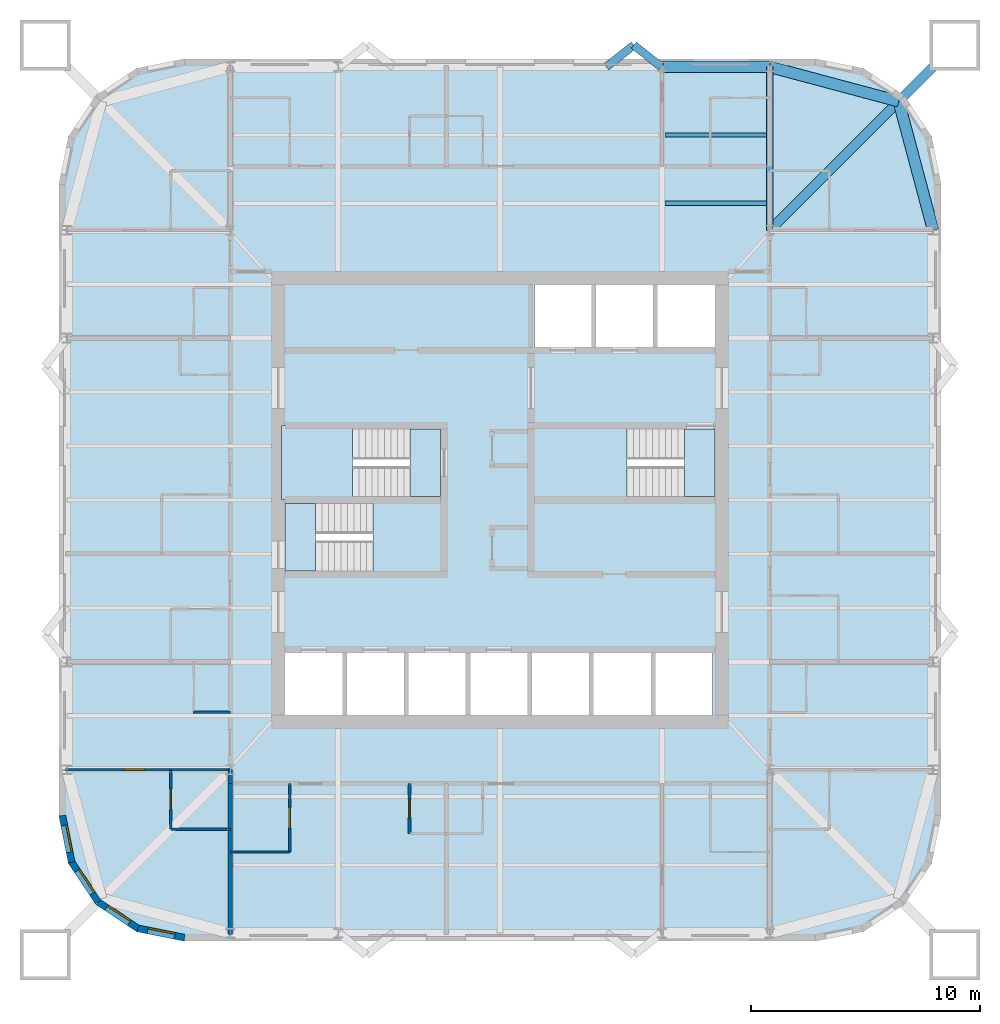
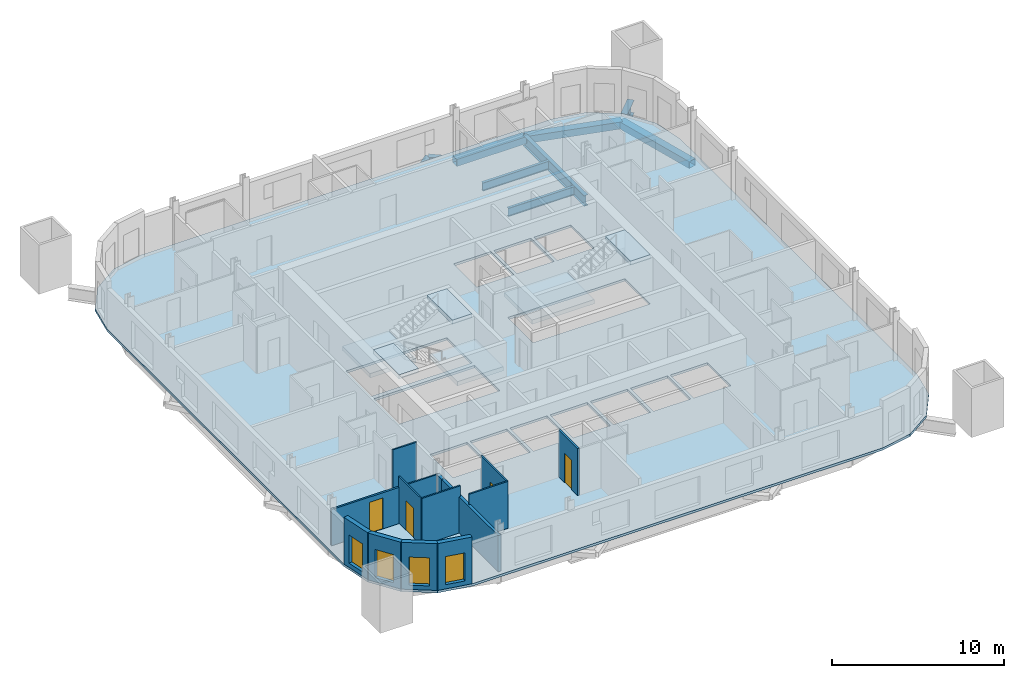
# One storey, part 2 of 9: 14 walls, 9 beams, 7 slabs, 4 doors, 4 windows, 8 openings, 3 elements without a shape of their own.
"""IFC4 building model written with IfcOpenShell, lengths in metres."""

from ifc_helpers import new_model, si_unit, direction, frame, frame_2d, origin, origin_2d, place, context, subcontext, project, spatial, polyline, rectangle, hollow_rectangle, i_section, outline, extrude, material, layer, layer_set, material_profile, profile_set, type_object, element, fill, aggregate, save


model = new_model("IFC4")

# Units and contexts
model_context = context("Model", 3, precision=1e-05, world=origin(), true_north=direction((0.0, 1.0)))
body_context = subcontext(model_context, "Body", "Model", "MODEL_VIEW")
ifc_project = project(units=[si_unit("LENGTHUNIT", "METRE"), si_unit("AREAUNIT", "SQUARE_METRE"), si_unit("VOLUMEUNIT", "CUBIC_METRE"), si_unit("PLANEANGLEUNIT", "RADIAN"), si_unit("MASSUNIT", "GRAM", prefix="KILO")], contexts=[model_context])

# Site, building, storey
site_placement = place(None, origin())
site = spatial("IfcSite", under=ifc_project, at=site_placement, CompositionType="ELEMENT")
building_placement = place(site_placement, origin())
building = spatial("IfcBuilding", under=site, at=building_placement, Name="Turquesa Mirador Hotel Tower", CompositionType="ELEMENT")
storey_placement = place(building_placement, frame((0.0, 0.0, 200.300048828125)))
storey = spatial("IfcBuildingStorey", under=building, at=storey_placement, Name="L54", CompositionType="ELEMENT", Elevation=200.300048828125)

# Beams
ifc_material_1 = material(Name="Steel ASTM A572 Grade 50", Category="steel")
ifc_material_profile_1 = material_profile(ifc_material_1, hollow_rectangle(XDim=0.5, YDim=0.5, WallThickness=0.01611328125, at=origin_2d()), Name="BOX500X500X16")
ifc_profile_set_1 = profile_set([ifc_material_profile_1], Name="Steel ASTM A572 Grade 50")
beam_type_1 = type_object("IfcBeamType", Name="BEAM BOX500X500X16", PredefinedType="BEAM", material=ifc_profile_set_1)
beam_1_placement = place(storey_placement, frame((62.080078125, 63.949951171875, -0.420166015625), z_axis=(1.0, 0.0, 0.0), x_axis=(0.0, 1.0, 0.0)))
element("IfcBeam", 1, at=beam_1_placement, inside=storey, type_object=beam_type_1, Name="EB-L54-N-R", PredefinedType="BEAM", context=body_context, shape_type="SweptSolid", body=[
    extrude(hollow_rectangle(XDim=0.5, YDim=0.5, WallThickness=0.01611328125, at=origin_2d()), origin(), (0.0, 0.0, 1.0), 4.719970703125),
])
for number, where, z_axis, x_axis, name in (
    (2, (73.949951171875, 56.800048828125, -0.420166015625), (-0.258281892145, 0.966069595935, 0.0), (-0.966069595935, -0.258281892145, 0.0), "KE-L54-1-0"),
    (3, (72.441650390625, 62.441650390625, -0.420166015625), (-0.966069595935, 0.258281892145, 0.0), (-0.258281892145, -0.966069595935, 0.0), "KE-L54-1-1"),
):
    element("IfcBeam", number, at=place(storey_placement, frame(where, z_axis=z_axis, x_axis=x_axis)), inside=storey, type_object=beam_type_1, Name=name, PredefinedType="BEAM", context=body_context, shape_type="SweptSolid", body=[
        extrude(hollow_rectangle(XDim=0.5, YDim=0.5, WallThickness=0.01611328125, at=origin_2d()), origin(), (0.0, 0.0, 1.0), 5.83984375),
    ])
ifc_material_2 = material(Name="Steel ASTM A992 Grade 50", Category="steel")
ifc_material_profile_2 = material_profile(ifc_material_2, i_section(OverallWidth=0.177978515625, OverallDepth=0.599365234375, WebThickness=0.010009765625, FlangeThickness=0.012939453125, at=origin_2d()), Name="W24X55")
ifc_profile_set_2 = profile_set([ifc_material_profile_2], Name="Steel ASTM A992 Grade 50")
beam_type_2 = type_object("IfcBeamType", Name="BEAM W24X55", PredefinedType="BEAM", material=ifc_profile_set_2)
for number, where, z_axis, x_axis, name in (
    (4, (62.21337890625, 57.98291015625, -0.4697265625), (1.0, 0.0, 0.0), (0.0, 1.0, 0.0), "IB-L54-N-1-3"),
    (5, (62.21337890625, 60.967041015625, -0.4697265625), (1.0, 0.0, 0.0), (0.0, 1.0, 0.0), "IB-L54-N-2-3"),
):
    element("IfcBeam", number, at=place(storey_placement, frame(where, z_axis=z_axis, x_axis=x_axis)), inside=storey, type_object=beam_type_2, Name=name, PredefinedType="BEAM", context=body_context, shape_type="SweptSolid", body=[
        extrude(i_section(OverallWidth=0.177978515625, OverallDepth=0.599365234375, WebThickness=0.010009765625, FlangeThickness=0.012939453125, at=origin_2d()), origin(), (0.0, 0.0, 1.0), 4.453369140625),
    ])
ifc_material_3 = material(Name="Steel ASTM A992 Grade 50", Category="steel")
ifc_material_profile_3 = material_profile(ifc_material_3, i_section(OverallWidth=0.2666015625, OverallDepth=0.7568359375, WebThickness=0.013916015625, FlangeThickness=0.019287109375, at=origin_2d()), Name="W30X108")
ifc_profile_set_3 = profile_set([ifc_material_profile_3], Name="Steel ASTM A992 Grade 50")
beam_type_3 = type_object("IfcBeamType", Name="BEAM W30X108", PredefinedType="BEAM", material=ifc_profile_set_3)
beam_2_placement = place(storey_placement, frame((66.800048828125, 63.949951171875, -0.548583984375), z_axis=(0.0, -1.0, 0.0), x_axis=(1.0, 0.0, 0.0)))
element("IfcBeam", 6, at=beam_2_placement, inside=storey, type_object=beam_type_3, Name="GK-L54-N-+11.80", PredefinedType="BEAM", context=body_context, shape_type="SweptSolid", body=[
    extrude(i_section(OverallWidth=0.2666015625, OverallDepth=0.7568359375, WebThickness=0.013916015625, FlangeThickness=0.019287109375, at=origin_2d()), origin(), (0.0, 0.0, 1.0), 7.14990234375),
])
ifc_material_4 = material(Name="Steel ASTM A992 Grade 50", Category="steel")
ifc_material_profile_4 = material_profile(ifc_material_4, i_section(OverallWidth=0.419189453125, OverallDepth=0.927001953125, WebThickness=0.019287109375, FlangeThickness=0.031982421875, at=origin_2d()), Name="W36X231")
ifc_profile_set_4 = profile_set([ifc_material_profile_4], Name="Steel ASTM A992 Grade 50")
beam_type_4 = type_object("IfcBeamType", Name="BEAM W36X231", PredefinedType="BEAM", material=ifc_profile_set_4)
beam_3_placement = place(storey_placement, frame((66.800048828125, 56.800048828125, -0.633544921875), z_axis=(0.707106781187, 0.707106781187, 0.0), x_axis=(-0.707106781187, 0.707106781187, 0.0)))
element("IfcBeam", 7, at=beam_3_placement, inside=storey, type_object=beam_type_4, Name="KD-L54-1", PredefinedType="BEAM", context=body_context, shape_type="SweptSolid", body=[
    extrude(i_section(OverallWidth=0.419189453125, OverallDepth=0.927001953125, WebThickness=0.019287109375, FlangeThickness=0.031982421875, at=origin_2d()), origin(), (0.0, 0.0, 1.0), 10.080322265625),
])
ifc_material_5 = material(Name="Steel ASTM A500 Grade C", Category="steel")
ifc_material_profile_5 = material_profile(ifc_material_5, hollow_rectangle(XDim=0.355712890625, YDim=0.355712890625, WallThickness=0.0146484375, at=origin_2d()), Name="HSS14X14X5/8")
ifc_profile_set_5 = profile_set([ifc_material_profile_5], Name="Steel ASTM A500 Grade C")
beam_type_5 = type_object("IfcBeamType", Name="BRACE STRUT HSS14X14X5/8", PredefinedType="BEAM", material=ifc_profile_set_5)
beam_4_placement = place(storey_placement, frame((60.85302734375, 64.89990234375, -0.347900390625), z_axis=(-0.784110506071, -0.620621232531, 0.0), x_axis=(0.620621232531, -0.784110506071, 0.0)))
element("IfcBeam", 8, at=beam_4_placement, inside=storey, type_object=beam_type_5, Name="Brace strut", PredefinedType="BEAM", context=body_context, shape_type="SweptSolid", body=[
    extrude(hollow_rectangle(XDim=0.355712890625, YDim=0.355712890625, WallThickness=0.0146484375, at=origin_2d()), origin(), (0.0, 0.0, 1.0), 1.53076171875),
])
beam_5_placement = place(storey_placement, frame((60.85302734375, 64.89990234375, -0.347900390625), z_axis=(0.784049059149, -0.620698858423, 0.0), x_axis=(0.620698858423, 0.784049059149, 0.0)))
element("IfcBeam", 9, at=beam_5_placement, inside=storey, type_object=beam_type_5, Name="Brace strut", PredefinedType="BEAM", context=body_context, shape_type="SweptSolid", body=[
    extrude(hollow_rectangle(XDim=0.355712890625, YDim=0.355712890625, WallThickness=0.0146484375, at=origin_2d()), origin(), (0.0, 0.0, 1.0), 1.530517578125),
])

# Slab
ifc_material_6 = material(Name="Concrete C28/35", Category="concrete")
ifc_layer_1 = layer(ifc_material_6, 0.169921875)
ifc_layer_set_1 = layer_set([ifc_layer_1], Name="COMPOSITE FLOOR SLAB 170")
slab_type_1 = type_object("IfcSlabType", Name="COMPOSITE FLOOR SLAB 170", PredefinedType="FLOOR", material=ifc_layer_set_1)
slab_1_placement = place(storey_placement, frame((0.0, 0.0, -0.170166015625)))
element("IfcSlab", 10, at=slab_1_placement, inside=storey, type_object=slab_type_1, Name="Floor slab L54", PredefinedType="FLOOR", context=body_context, shape_type="SweptSolid", body=[
    extrude(outline(polyline([(68.800048828125, 25.699951171875), (70.90478515625, 26.11865234375), (72.689208984375, 27.310791015625), (73.88134765625, 29.09521484375), (74.300048828125, 31.199951171875), (74.300048828125, 58.800048828125), (73.88134765625, 60.90478515625), (72.689208984375, 62.689208984375), (70.90478515625, 63.88134765625), (68.800048828125, 64.300048828125), (41.199951171875, 64.300048828125), (39.09521484375, 63.88134765625), (37.310791015625, 62.689208984375), (36.11865234375, 60.90478515625), (35.699951171875, 58.800048828125), (35.699951171875, 31.199951171875), (36.11865234375, 29.09521484375), (37.310791015625, 27.310791015625), (39.09521484375, 26.11865234375), (41.199951171875, 25.699951171875), (68.800048828125, 25.699951171875)]), holes=[polyline([(56.5, 51.699951171875), (59.0, 51.699951171875), (59.0, 54.39990234375), (56.5, 54.39990234375), (56.5, 51.699951171875)]), polyline([(59.199951171875, 51.699951171875), (61.699951171875, 51.699951171875), (61.699951171875, 54.39990234375), (59.199951171875, 54.39990234375), (59.199951171875, 51.699951171875)]), polyline([(45.60009765625, 35.60009765625), (48.10009765625, 35.60009765625), (48.10009765625, 38.300048828125), (45.60009765625, 38.300048828125), (45.60009765625, 35.60009765625)]), polyline([(48.300048828125, 35.60009765625), (50.800048828125, 35.60009765625), (50.800048828125, 38.300048828125), (48.300048828125, 38.300048828125), (48.300048828125, 35.60009765625)]), polyline([(51.0, 35.60009765625), (53.5, 35.60009765625), (53.5, 38.300048828125), (51.0, 38.300048828125), (51.0, 35.60009765625)]), polyline([(53.699951171875, 35.60009765625), (56.199951171875, 35.60009765625), (56.199951171875, 38.300048828125), (53.699951171875, 38.300048828125), (53.699951171875, 35.60009765625)]), polyline([(56.39990234375, 35.60009765625), (58.89990234375, 35.60009765625), (58.89990234375, 38.300048828125), (56.39990234375, 38.300048828125), (56.39990234375, 35.60009765625)]), polyline([(59.10009765625, 35.60009765625), (61.60009765625, 35.60009765625), (61.60009765625, 38.300048828125), (59.10009765625, 38.300048828125), (59.10009765625, 35.60009765625)]), polyline([(61.800048828125, 35.60009765625), (64.300048828125, 35.60009765625), (64.300048828125, 38.300048828125), (61.800048828125, 38.300048828125), (61.800048828125, 35.60009765625)]), polyline([(45.60009765625, 45.14990234375), (52.39990234375, 45.14990234375), (52.39990234375, 48.10009765625), (45.60009765625, 48.10009765625), (45.60009765625, 45.14990234375)]), polyline([(45.60009765625, 41.89990234375), (52.39990234375, 41.89990234375), (52.39990234375, 44.85009765625), (45.60009765625, 44.85009765625), (45.60009765625, 41.89990234375)]), polyline([(56.5, 45.14990234375), (64.39990234375, 45.14990234375), (64.39990234375, 48.10009765625), (56.5, 48.10009765625), (56.5, 45.14990234375)]), polyline([(61.89990234375, 51.699951171875), (64.39990234375, 51.699951171875), (64.39990234375, 54.39990234375), (61.89990234375, 54.39990234375), (61.89990234375, 51.699951171875)])]), origin(), (0.0, 0.0, 1.0), 0.170166015625),
])

# Stair, slabs
ifc_material_7 = material(Name="Concrete C35/45", Category="concrete")
stair_type = type_object("IfcStairType", Name="ESCAPE STAIR CORE", PredefinedType="HALF_TURN_STAIR", material=ifc_material_7)
stair_1_placement = place(storey_placement, origin())
stair_1 = element("IfcStair", 11, at=stair_1_placement, inside=storey, type_object=stair_type, Name="Stair ST1 L54 to L55", PredefinedType="HALF_TURN_STAIR")
ifc_material_8 = material(Name="Concrete C35/45", Category="concrete")
ifc_layer_2 = layer(ifc_material_8, 0.300048828125)
ifc_layer_set_2 = layer_set([ifc_layer_2], Name="STAIR LANDING 300")
slab_type_2 = type_object("IfcSlabType", Name="STAIR LANDING 300", PredefinedType="LANDING", material=ifc_layer_set_2)
slab_2_placement = place(storey_placement, frame((0.0, 0.0, 1.449951171875)))
slab_2 = element("IfcSlab", 12, at=slab_2_placement, type_object=slab_type_2, Name="ST1 landing 1", PredefinedType="LANDING", context=body_context, shape_type="SweptSolid", body=[
    extrude(outline(polyline([(45.449951171875, 45.0), (48.550048828125, 45.0), (48.550048828125, 48.25), (45.449951171875, 48.25), (45.449951171875, 45.0)])), origin(), (0.0, 0.0, 1.0), 0.300048828125),
])
slab_3_placement = place(storey_placement, frame((0.0, 0.0, 3.199951171875)))
slab_3 = element("IfcSlab", 13, at=slab_3_placement, type_object=slab_type_2, Name="ST1 landing 2", PredefinedType="LANDING", context=body_context, shape_type="SweptSolid", body=[
    extrude(outline(polyline([(51.070068359375, 45.14990234375), (52.39990234375, 45.14990234375), (52.39990234375, 48.10009765625), (51.070068359375, 48.10009765625), (51.070068359375, 45.14990234375)])), origin(), (0.0, 0.0, 1.0), 0.300048828125),
])
aggregate(stair_1, [slab_2, slab_3])

stair_2_placement = place(storey_placement, origin())
stair_2 = element("IfcStair", 14, at=stair_2_placement, inside=storey, type_object=stair_type, Name="Stair ST2 L54 to L55", PredefinedType="HALF_TURN_STAIR")
slab_4_placement = place(storey_placement, frame((0.0, 0.0, 1.449951171875)))
slab_4 = element("IfcSlab", 15, at=slab_4_placement, type_object=slab_type_2, Name="ST2 landing 1", PredefinedType="LANDING", context=body_context, shape_type="SweptSolid", body=[
    extrude(outline(polyline([(52.550048828125, 45.0), (49.449951171875, 45.0), (49.449951171875, 41.75), (52.550048828125, 41.75), (52.550048828125, 45.0)])), origin(), (0.0, 0.0, 1.0), 0.300048828125),
])
slab_5_placement = place(storey_placement, frame((0.0, 0.0, 3.199951171875)))
slab_5 = element("IfcSlab", 16, at=slab_5_placement, type_object=slab_type_2, Name="ST2 landing 2", PredefinedType="LANDING", context=body_context, shape_type="SweptSolid", body=[
    extrude(outline(polyline([(46.929931640625, 44.85009765625), (45.60009765625, 44.85009765625), (45.60009765625, 41.89990234375), (46.929931640625, 41.89990234375), (46.929931640625, 44.85009765625)])), origin(), (0.0, 0.0, 1.0), 0.300048828125),
])
aggregate(stair_2, [slab_4, slab_5])

stair_3_placement = place(storey_placement, origin())
stair_3 = element("IfcStair", 17, at=stair_3_placement, inside=storey, type_object=stair_type, Name="Stair ST3 L54 to L55", PredefinedType="HALF_TURN_STAIR")
slab_6_placement = place(storey_placement, frame((0.0, 0.0, 1.449951171875)))
slab_6 = element("IfcSlab", 18, at=slab_6_placement, type_object=slab_type_2, Name="ST3 landing 1", PredefinedType="LANDING", context=body_context, shape_type="SweptSolid", body=[
    extrude(outline(polyline([(56.35009765625, 45.0), (60.550048828125, 45.0), (60.550048828125, 48.25), (56.35009765625, 48.25), (56.35009765625, 45.0)])), origin(), (0.0, 0.0, 1.0), 0.300048828125),
])
slab_7_placement = place(storey_placement, frame((0.0, 0.0, 3.199951171875)))
slab_7 = element("IfcSlab", 19, at=slab_7_placement, type_object=slab_type_2, Name="ST3 landing 2", PredefinedType="LANDING", context=body_context, shape_type="SweptSolid", body=[
    extrude(outline(polyline([(63.070068359375, 45.14990234375), (64.39990234375, 45.14990234375), (64.39990234375, 48.10009765625), (63.070068359375, 48.10009765625), (63.070068359375, 45.14990234375)])), origin(), (0.0, 0.0, 1.0), 0.300048828125),
])
aggregate(stair_3, [slab_6, slab_7])

# Walls
ifc_material_9 = material(Name="Gypsum board on steel studs", Category="steel")
ifc_layer_3 = layer(ifc_material_9, 0.10009765625)
ifc_layer_set_3 = layer_set([ifc_layer_3], Name="BATHROOM WALL 100")
wall_type_1 = type_object("IfcWallType", Name="BATHROOM WALL 100", PredefinedType="PARTITIONING", material=ifc_layer_set_3)
wall_1_placement = place(storey_placement, frame((40.60009765625, 33.199951171875, 0.0), z_axis=(0.0, 0.0, 1.0), x_axis=(1.0, 0.0, 0.0)))
element("IfcWall", 20, at=wall_1_placement, inside=storey, type_object=wall_type_1, Name="Partition L54 001", PredefinedType="PARTITIONING", context=body_context, shape_type="SweptSolid", body=[
    extrude(rectangle(XDim=2.599853515625, YDim=0.10009765625, at=frame_2d((1.2998046875, 0.0))), origin(), (0.0, 0.0, 1.0), 2.572998046875),
])
wall_2_placement = place(storey_placement, frame((40.60009765625, 30.60009765625, 0.0), z_axis=(0.0, 0.0, 1.0), x_axis=(1.0, 0.0, 0.0)))
element("IfcWall", 21, at=wall_2_placement, inside=storey, type_object=wall_type_1, Name="Partition L54 006", PredefinedType="PARTITIONING", context=body_context, shape_type="SweptSolid", body=[
    extrude(rectangle(XDim=2.599853515625, YDim=0.10009765625, at=frame_2d((1.2998046875, 0.0))), origin(), (0.0, 0.0, 1.0), 3.329833984375),
])
wall_3_placement = place(storey_placement, frame((43.199951171875, 29.60009765625, 0.0), z_axis=(0.0, 0.0, 1.0), x_axis=(1.0, 0.0, 0.0)))
element("IfcWall", 22, at=wall_3_placement, inside=storey, type_object=wall_type_1, Name="Partition L54 010", PredefinedType="PARTITIONING", context=body_context, shape_type="SweptSolid", body=[
    extrude(rectangle(XDim=2.60009765625, YDim=0.10009765625, at=frame_2d((1.300048828125, 0.0))), origin(), (0.0, 0.0, 1.0), 3.329833984375),
])
wall_4_placement = place(storey_placement, frame((41.60009765625, 35.719970703125, 0.0), z_axis=(0.0, 0.0, 1.0), x_axis=(1.0, 0.0, 0.0)))
element("IfcWall", 23, at=wall_4_placement, inside=storey, type_object=wall_type_1, Name="Partition L54 018", PredefinedType="PARTITIONING", context=body_context, shape_type="SweptSolid", body=[
    extrude(rectangle(XDim=1.599853515625, YDim=0.10009765625, at=frame_2d((0.7998046875, 0.0))), origin(), (0.0, 0.0, 1.0), 3.329833984375),
])

# Wall, opening, door
wall_5_placement = place(storey_placement, frame((40.60009765625, 30.60009765625, 0.0), z_axis=(0.0, 0.0, 1.0), x_axis=(0.0, 1.0, 0.0)))
wall_5 = element("IfcWall", 24, at=wall_5_placement, inside=storey, type_object=wall_type_1, Name="Partition L54 049", PredefinedType="PARTITIONING", context=body_context, shape_type="SweptSolid", body=[
    extrude(rectangle(XDim=2.599853515625, YDim=0.10009765625, at=frame_2d((1.2998046875, 0.0))), origin(), (0.0, 0.0, 1.0), 3.329833984375),
])
opening_1_placement = place(wall_5_placement, frame((0.85009765625, 0.0, 0.0)))
opening_1 = element("IfcOpeningElement", 25, at=opening_1_placement, cuts=wall_5, Name="Opening D02", PredefinedType="OPENING", context=body_context, shape_type="SweptSolid", body=[
    extrude(rectangle(XDim=0.89990234375, YDim=2.10009765625, at=frame_2d((0.449951171875, 1.050048828125))), frame((0.0, 0.06005859375, 0.0), z_axis=(0.0, -1.0, 0.0), x_axis=(1.0, 0.0, 0.0)), (0.0, 0.0, 1.0), 0.1201171875),
])
ifc_material_10 = material(Name="Timber veneered door", Category="wood")
door_type_1 = type_object("IfcDoorType", Name="DOOR 900X2100 EN-SUITE", OperationType="SINGLE_SWING_RIGHT", PredefinedType="DOOR", material=ifc_material_10)
door_1_placement = place(opening_1_placement, origin())
door_1 = element("IfcDoor", 26, at=door_1_placement, inside=storey, type_object=door_type_1, Name="Door 5411B", OperationType="SINGLE_SWING_RIGHT", OverallHeight=2.10009765625, OverallWidth=0.89990234375, PredefinedType="DOOR", context=body_context, shape_type="SweptSolid", body=[
    extrude(rectangle(XDim=0.89990234375, YDim=2.10009765625, at=frame_2d((0.449951171875, 1.050048828125))), frame((0.0, 0.02490234375, 0.0), z_axis=(0.0, -1.0, 0.0), x_axis=(1.0, 0.0, 0.0)), (0.0, 0.0, 1.0), 0.050048828125),
])
fill(opening_1, door_1)

wall_6_placement = place(storey_placement, frame((45.800048828125, 29.60009765625, 0.0), z_axis=(0.0, 0.0, 1.0), x_axis=(0.0, 1.0, 0.0)))
wall_6 = element("IfcWall", 27, at=wall_6_placement, inside=storey, type_object=wall_type_1, Name="Partition L54 057", PredefinedType="PARTITIONING", context=body_context, shape_type="SweptSolid", body=[
    extrude(rectangle(XDim=3.0, YDim=0.10009765625, at=frame_2d((1.5, 0.0))), origin(), (0.0, 0.0, 1.0), 3.329833984375),
])
opening_2_placement = place(wall_6_placement, frame((1.050048828125, 0.0, 0.0)))
opening_2 = element("IfcOpeningElement", 28, at=opening_2_placement, cuts=wall_6, Name="Opening D02", PredefinedType="OPENING", context=body_context, shape_type="SweptSolid", body=[
    extrude(rectangle(XDim=0.89990234375, YDim=2.10009765625, at=frame_2d((0.449951171875, 1.050048828125))), frame((0.0, 0.06005859375, 0.0), z_axis=(0.0, -1.0, 0.0), x_axis=(1.0, 0.0, 0.0)), (0.0, 0.0, 1.0), 0.1201171875),
])
door_2_placement = place(opening_2_placement, origin())
door_2 = element("IfcDoor", 29, at=door_2_placement, inside=storey, type_object=door_type_1, Name="Door 5403B", OperationType="SINGLE_SWING_RIGHT", OverallHeight=2.10009765625, OverallWidth=0.89990234375, PredefinedType="DOOR", context=body_context, shape_type="SweptSolid", body=[
    extrude(rectangle(XDim=0.89990234375, YDim=2.10009765625, at=frame_2d((0.449951171875, 1.050048828125))), frame((0.0, 0.02490234375, 0.0), z_axis=(0.0, -1.0, 0.0), x_axis=(1.0, 0.0, 0.0)), (0.0, 0.0, 1.0), 0.050048828125),
])
fill(opening_2, door_2)

# Wall
ifc_material_11 = material(Name="Fire-rated gypsum board on steel studs", Category="steel")
ifc_layer_4 = layer(ifc_material_11, 0.199951171875)
ifc_layer_set_4 = layer_set([ifc_layer_4], Name="CORRIDOR WALL 200")
wall_type_2 = type_object("IfcWallType", Name="CORRIDOR WALL 200", PredefinedType="PARTITIONING", material=ifc_layer_set_4)
wall_7_placement = place(storey_placement, frame((43.199951171875, 32.60009765625, 0.0), z_axis=(0.0, 0.0, 1.0), x_axis=(0.0, 1.0, 0.0)))
element("IfcWall", 30, at=wall_7_placement, inside=storey, type_object=wall_type_2, Name="Partition L54 073", PredefinedType="PARTITIONING", context=body_context, shape_type="SweptSolid", body=[
    extrude(rectangle(XDim=0.619873046875, YDim=0.199951171875, at=frame_2d((0.31005859375, 0.0))), origin(), (0.0, 0.0, 1.0), 2.572998046875),
])

# Wall, opening, window
ifc_material_12 = material(Name="Limestone cladding on concrete block", Category="masonry")
ifc_layer_5 = layer(ifc_material_12, 0.300048828125)
ifc_layer_set_5 = layer_set([ifc_layer_5], Name="FACADE WALL 300 STONE SCREEN")
wall_type_3 = type_object("IfcWallType", Name="FACADE WALL 300 STONE SCREEN", PredefinedType="SOLIDWALL", material=ifc_layer_set_5)
wall_8_placement = place(storey_placement, frame((35.85009765625, 31.199951171875, 0.0), z_axis=(0.0, 0.0, 1.0), x_axis=(0.195081421501, -0.980787050784, 0.0)))
wall_8 = element("IfcWall", 31, at=wall_8_placement, inside=storey, type_object=wall_type_3, Name="Facade wall L54 15", PredefinedType="SOLIDWALL", context=body_context, shape_type="SweptSolid", body=[
    extrude(rectangle(XDim=2.08740234375, YDim=0.300048828125, at=frame_2d((1.043701171875, 0.0))), origin(), (0.0, 0.0, 1.0), 3.329833984375),
])
opening_3_placement = place(wall_8_placement, frame((0.443603515625, 0.0, 0.300048828125)))
opening_3 = element("IfcOpeningElement", 32, at=opening_3_placement, cuts=wall_8, Name="Opening WN4", PredefinedType="OPENING", context=body_context, shape_type="SweptSolid", body=[
    extrude(rectangle(XDim=1.199951171875, YDim=2.0, at=frame_2d((0.60009765625, 1.0))), frame((0.0, 0.159912109375, 0.0), z_axis=(0.0, -1.0, 0.0), x_axis=(1.0, 0.0, 0.0)), (0.0, 0.0, 1.0), 0.320068359375),
])
ifc_material_13 = material(Name="Ceramic-fritted laminated glass", Category="glass")
window_type = type_object("IfcWindowType", Name="FRITTED CORNER WINDOW 1200X2000", PartitioningType="DOUBLE_PANEL_HORIZONTAL", PredefinedType="WINDOW", material=ifc_material_13)
window_1_placement = place(opening_3_placement, origin())
window_1 = element("IfcWindow", 33, at=window_1_placement, inside=storey, type_object=window_type, Name="Window L54", OverallHeight=2.0, OverallWidth=1.199951171875, PartitioningType="SINGLE_PANEL", PredefinedType="WINDOW", context=body_context, shape_type="SweptSolid", body=[
    extrude(rectangle(XDim=1.199951171875, YDim=2.0, at=frame_2d((0.60009765625, 1.0))), frame((0.0, 0.130126953125, 0.0), z_axis=(0.0, -1.0, 0.0), x_axis=(1.0, 0.0, 0.0)), (0.0, 0.0, 1.0), 0.06005859375),
])
fill(opening_3, window_1)

wall_9_placement = place(storey_placement, frame((36.25732421875, 29.152587890625, 0.0), z_axis=(0.0, 0.0, 1.0), x_axis=(0.555563607591, -0.831474039234, 0.0)))
wall_9 = element("IfcWall", 34, at=wall_9_placement, inside=storey, type_object=wall_type_3, Name="Facade wall L54 16", PredefinedType="SOLIDWALL", context=body_context, shape_type="SweptSolid", body=[
    extrude(rectangle(XDim=2.08740234375, YDim=0.300048828125, at=frame_2d((1.043701171875, 0.0))), origin(), (0.0, 0.0, 1.0), 3.329833984375),
])
opening_4_placement = place(wall_9_placement, frame((0.443603515625, 0.0, 0.300048828125)))
opening_4 = element("IfcOpeningElement", 35, at=opening_4_placement, cuts=wall_9, Name="Opening WN4", PredefinedType="OPENING", context=body_context, shape_type="SweptSolid", body=[
    extrude(rectangle(XDim=1.199951171875, YDim=2.0, at=frame_2d((0.60009765625, 1.0))), frame((0.0, 0.159912109375, 0.0), z_axis=(0.0, -1.0, 0.0), x_axis=(1.0, 0.0, 0.0)), (0.0, 0.0, 1.0), 0.320068359375),
])
window_2_placement = place(opening_4_placement, origin())
window_2 = element("IfcWindow", 36, at=window_2_placement, inside=storey, type_object=window_type, Name="Window L54", OverallHeight=2.0, OverallWidth=1.199951171875, PartitioningType="SINGLE_PANEL", PredefinedType="WINDOW", context=body_context, shape_type="SweptSolid", body=[
    extrude(rectangle(XDim=1.199951171875, YDim=2.0, at=frame_2d((0.60009765625, 1.0))), frame((0.0, 0.130126953125, 0.0), z_axis=(0.0, -1.0, 0.0), x_axis=(1.0, 0.0, 0.0)), (0.0, 0.0, 1.0), 0.06005859375),
])
fill(opening_4, window_2)

wall_10_placement = place(storey_placement, frame((37.4169921875, 27.4169921875, 0.0), z_axis=(0.0, 0.0, 1.0), x_axis=(0.831474039234, -0.555563607591, 0.0)))
wall_10 = element("IfcWall", 37, at=wall_10_placement, inside=storey, type_object=wall_type_3, Name="Facade wall L54 17", PredefinedType="SOLIDWALL", context=body_context, shape_type="SweptSolid", body=[
    extrude(rectangle(XDim=2.08740234375, YDim=0.300048828125, at=frame_2d((1.043701171875, 0.0))), origin(), (0.0, 0.0, 1.0), 3.329833984375),
])
opening_5_placement = place(wall_10_placement, frame((0.443603515625, 0.0, 0.300048828125)))
opening_5 = element("IfcOpeningElement", 38, at=opening_5_placement, cuts=wall_10, Name="Opening WN4", PredefinedType="OPENING", context=body_context, shape_type="SweptSolid", body=[
    extrude(rectangle(XDim=1.199951171875, YDim=2.0, at=frame_2d((0.60009765625, 1.0))), frame((0.0, 0.159912109375, 0.0), z_axis=(0.0, -1.0, 0.0), x_axis=(1.0, 0.0, 0.0)), (0.0, 0.0, 1.0), 0.320068359375),
])
window_3_placement = place(opening_5_placement, origin())
window_3 = element("IfcWindow", 39, at=window_3_placement, inside=storey, type_object=window_type, Name="Window L54", OverallHeight=2.0, OverallWidth=1.199951171875, PartitioningType="SINGLE_PANEL", PredefinedType="WINDOW", context=body_context, shape_type="SweptSolid", body=[
    extrude(rectangle(XDim=1.199951171875, YDim=2.0, at=frame_2d((0.60009765625, 1.0))), frame((0.0, 0.130126953125, 0.0), z_axis=(0.0, -1.0, 0.0), x_axis=(1.0, 0.0, 0.0)), (0.0, 0.0, 1.0), 0.06005859375),
])
fill(opening_5, window_3)

wall_11_placement = place(storey_placement, frame((39.152587890625, 26.25732421875, 0.0), z_axis=(0.0, 0.0, 1.0), x_axis=(0.980787050784, -0.195081421501, 0.0)))
wall_11 = element("IfcWall", 40, at=wall_11_placement, inside=storey, type_object=wall_type_3, Name="Facade wall L54 18", PredefinedType="SOLIDWALL", context=body_context, shape_type="SweptSolid", body=[
    extrude(rectangle(XDim=2.08740234375, YDim=0.300048828125, at=frame_2d((1.043701171875, 0.0))), origin(), (0.0, 0.0, 1.0), 3.329833984375),
])
opening_6_placement = place(wall_11_placement, frame((0.443603515625, 0.0, 0.300048828125)))
opening_6 = element("IfcOpeningElement", 41, at=opening_6_placement, cuts=wall_11, Name="Opening WN4", PredefinedType="OPENING", context=body_context, shape_type="SweptSolid", body=[
    extrude(rectangle(XDim=1.199951171875, YDim=2.0, at=frame_2d((0.60009765625, 1.0))), frame((0.0, 0.159912109375, 0.0), z_axis=(0.0, -1.0, 0.0), x_axis=(1.0, 0.0, 0.0)), (0.0, 0.0, 1.0), 0.320068359375),
])
window_4_placement = place(opening_6_placement, origin())
window_4 = element("IfcWindow", 42, at=window_4_placement, inside=storey, type_object=window_type, Name="Window L54", OverallHeight=2.0, OverallWidth=1.199951171875, PartitioningType="SINGLE_PANEL", PredefinedType="WINDOW", context=body_context, shape_type="SweptSolid", body=[
    extrude(rectangle(XDim=1.199951171875, YDim=2.0, at=frame_2d((0.60009765625, 1.0))), frame((0.0, 0.130126953125, 0.0), z_axis=(0.0, -1.0, 0.0), x_axis=(1.0, 0.0, 0.0)), (0.0, 0.0, 1.0), 0.06005859375),
])
fill(opening_6, window_4)

# Wall
ifc_material_14 = material(Name="Fire-rated gypsum board on steel studs", Category="steel")
ifc_layer_6 = layer(ifc_material_14, 0.199951171875)
ifc_layer_set_6 = layer_set([ifc_layer_6], Name="PARTY WALL 200")
wall_type_4 = type_object("IfcWallType", Name="PARTY WALL 200", PredefinedType="PARTITIONING", material=ifc_layer_set_6)
wall_12_placement = place(storey_placement, frame((43.199951171875, 26.0, 0.0), z_axis=(0.0, 0.0, 1.0), x_axis=(0.0, 1.0, 0.0)))
element("IfcWall", 43, at=wall_12_placement, inside=storey, type_object=wall_type_4, Name="Partition L54 044", PredefinedType="PARTITIONING", context=body_context, shape_type="SweptSolid", body=[
    extrude(rectangle(XDim=6.60009765625, YDim=0.199951171875, at=frame_2d((3.300048828125, 0.0))), origin(), (0.0, 0.0, 1.0), 2.572998046875),
])

# Wall, opening, door
ifc_material_15 = material(Name="Acoustic gypsum board on steel studs", Category="steel")
ifc_layer_7 = layer(ifc_material_15, 0.125)
ifc_layer_set_7 = layer_set([ifc_layer_7], Name="SUITE PARTITION 125")
wall_type_5 = type_object("IfcWallType", Name="SUITE PARTITION 125", PredefinedType="PARTITIONING", material=ifc_layer_set_7)
wall_13_placement = place(storey_placement, frame((36.0, 33.199951171875, 0.0), z_axis=(0.0, 0.0, 1.0), x_axis=(1.0, 0.0, 0.0)))
wall_13 = element("IfcWall", 44, at=wall_13_placement, inside=storey, type_object=wall_type_5, Name="Partition L54 003", PredefinedType="PARTITIONING", context=body_context, shape_type="SweptSolid", body=[
    extrude(rectangle(XDim=4.60009765625, YDim=0.125, at=frame_2d((2.300048828125, 0.0))), origin(), (0.0, 0.0, 1.0), 2.572998046875),
])
opening_7_placement = place(wall_13_placement, frame((2.550048828125, 0.0, 0.0)))
opening_7 = element("IfcOpeningElement", 45, at=opening_7_placement, cuts=wall_13, Name="Opening D17", PredefinedType="OPENING", context=body_context, shape_type="SweptSolid", body=[
    extrude(rectangle(XDim=0.89990234375, YDim=2.199951171875, at=frame_2d((0.449951171875, 1.10009765625))), frame((0.0, 0.072509765625, 0.0), z_axis=(0.0, -1.0, 0.0), x_axis=(1.0, 0.0, 0.0)), (0.0, 0.0, 1.0), 0.14501953125),
])
ifc_material_16 = material(Name="Timber veneered door", Category="wood")
door_type_2 = type_object("IfcDoorType", Name="DOOR 900X2200 SUITE INTERNAL", OperationType="SINGLE_SWING_LEFT", PredefinedType="DOOR", material=ifc_material_16)
door_3_placement = place(opening_7_placement, origin())
door_3 = element("IfcDoor", 46, at=door_3_placement, inside=storey, type_object=door_type_2, Name="Door 5411R", OperationType="SINGLE_SWING_LEFT", OverallHeight=2.199951171875, OverallWidth=0.89990234375, PredefinedType="DOOR", context=body_context, shape_type="SweptSolid", body=[
    extrude(rectangle(XDim=0.89990234375, YDim=2.199951171875, at=frame_2d((0.449951171875, 1.10009765625))), frame((0.0, 0.02490234375, 0.0), z_axis=(0.0, -1.0, 0.0), x_axis=(1.0, 0.0, 0.0)), (0.0, 0.0, 1.0), 0.050048828125),
])
fill(opening_7, door_3)

wall_14_placement = place(storey_placement, frame((51.0400390625, 30.39990234375, 0.0), z_axis=(0.0, 0.0, 1.0), x_axis=(0.0, 1.0, 0.0)))
wall_14 = element("IfcWall", 47, at=wall_14_placement, inside=storey, type_object=wall_type_5, Name="Partition L54 055", PredefinedType="PARTITIONING", context=body_context, shape_type="SweptSolid", body=[
    extrude(rectangle(XDim=2.2001953125, YDim=0.125, at=frame_2d((1.10009765625, 0.0))), origin(), (0.0, 0.0, 1.0), 3.329833984375),
])
opening_8_placement = place(wall_14_placement, frame((0.699951171875, 0.0, 0.0)))
opening_8 = element("IfcOpeningElement", 48, at=opening_8_placement, cuts=wall_14, Name="Opening D20", PredefinedType="OPENING", context=body_context, shape_type="SweptSolid", body=[
    extrude(rectangle(XDim=0.800048828125, YDim=2.10009765625, at=frame_2d((0.39990234375, 1.050048828125))), frame((0.0, 0.072509765625, 0.0), z_axis=(0.0, -1.0, 0.0), x_axis=(1.0, 0.0, 0.0)), (0.0, 0.0, 1.0), 0.14501953125),
])
ifc_material_17 = material(Name="Timber veneered sliding door", Category="wood")
door_type_3 = type_object("IfcDoorType", Name="DOOR 800X2100 WARDROBE", OperationType="SLIDING_TO_LEFT", PredefinedType="DOOR", material=ifc_material_17)
door_4_placement = place(opening_8_placement, origin())
door_4 = element("IfcDoor", 49, at=door_4_placement, inside=storey, type_object=door_type_3, Name="Door 5403W", OperationType="SLIDING_TO_LEFT", OverallHeight=2.10009765625, OverallWidth=0.800048828125, PredefinedType="DOOR", context=body_context, shape_type="SweptSolid", body=[
    extrude(rectangle(XDim=0.800048828125, YDim=2.10009765625, at=frame_2d((0.39990234375, 1.050048828125))), frame((0.0, 0.02490234375, 0.0), z_axis=(0.0, -1.0, 0.0), x_axis=(1.0, 0.0, 0.0)), (0.0, 0.0, 1.0), 0.050048828125),
])
fill(opening_8, door_4)

save(model, "model.ifc")
